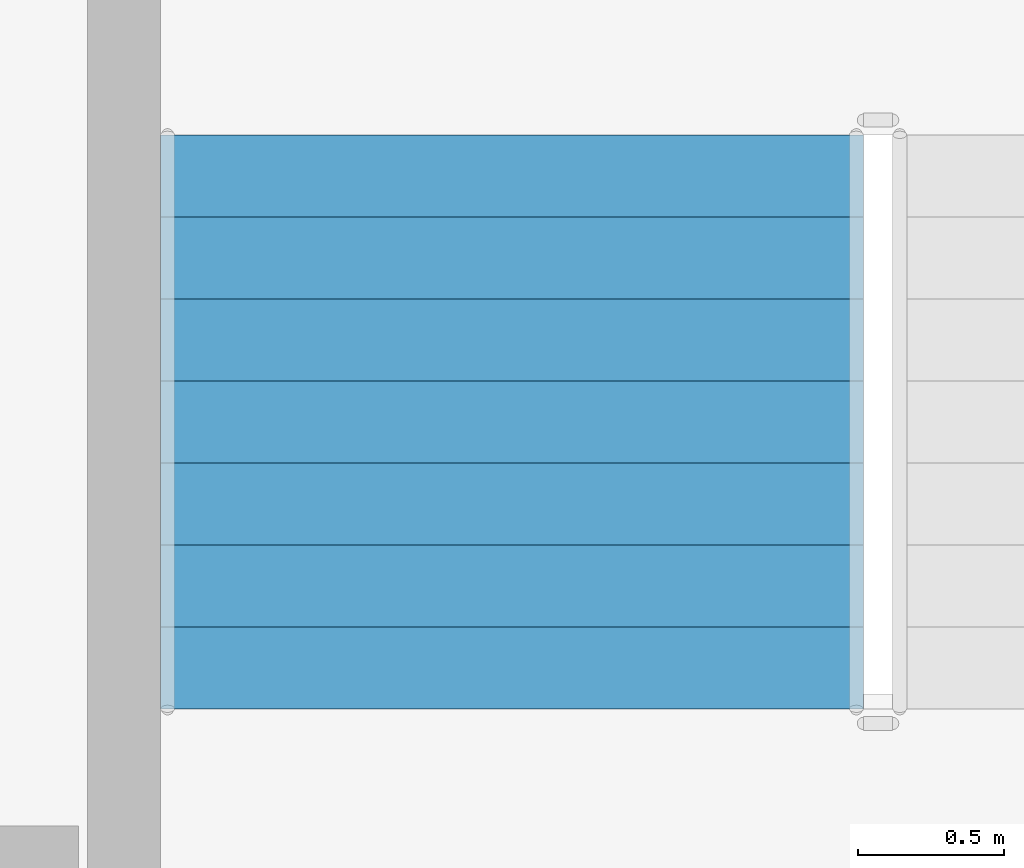
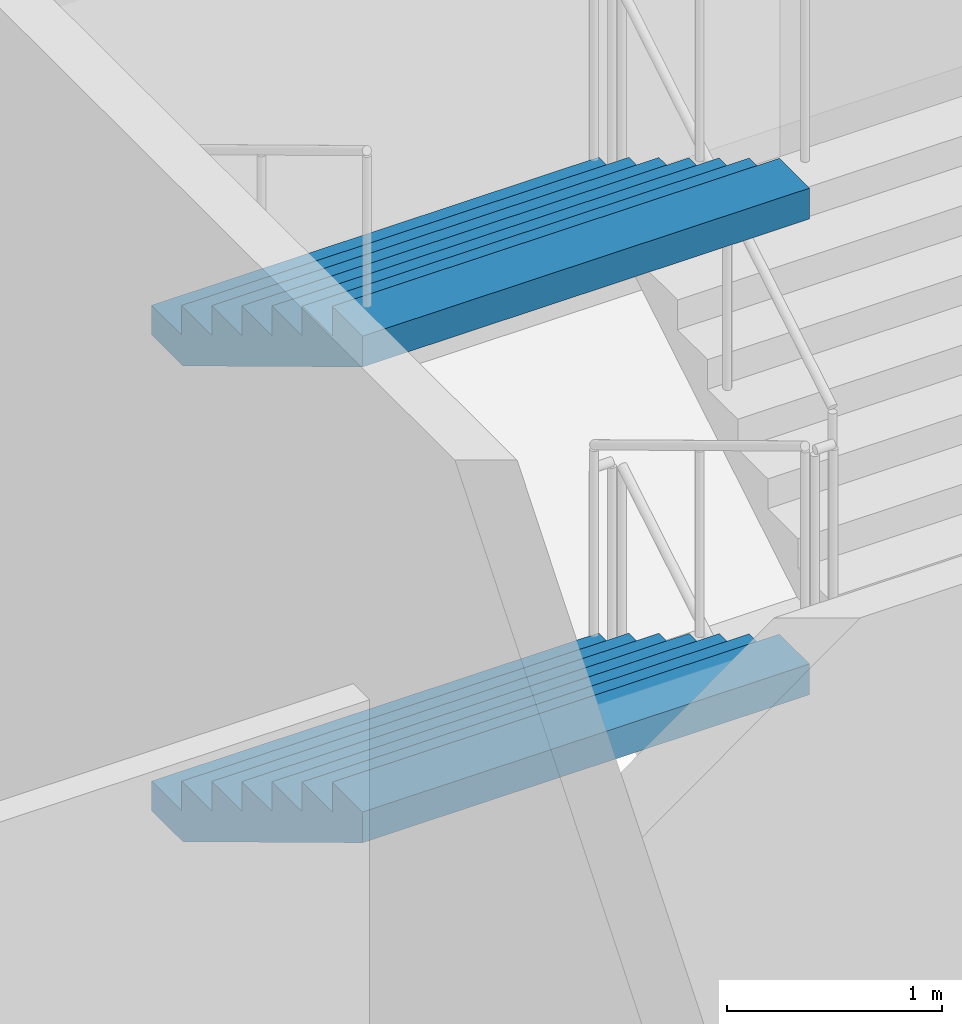
# One storey, part 71 of 101: 2 stair flights, 1 element without a shape of its own.
"""IFC4 building model written with IfcOpenShell, lengths in metres."""

from ifc_helpers import new_model, si_unit, direction, frame, origin, place, context, subcontext, project, spatial, triangles, material, type_object, element, aggregate, save


model = new_model("IFC4")

# Units and contexts
model_context = context("Model", 3, precision=1e-05, world=origin(), true_north=direction((0.0, 1.0)))
body_context = subcontext(model_context, "Body", "Model", "MODEL_VIEW")
ifc_project = project(units=[si_unit("LENGTHUNIT", "METRE"), si_unit("AREAUNIT", "SQUARE_METRE"), si_unit("VOLUMEUNIT", "CUBIC_METRE"), si_unit("PLANEANGLEUNIT", "RADIAN"), si_unit("MASSUNIT", "GRAM", prefix="KILO")], contexts=[model_context])

# Site, building, storey
site_placement = place(None, origin())
site = spatial("IfcSite", under=ifc_project, at=site_placement, CompositionType="ELEMENT")
building_placement = place(site_placement, origin())
building = spatial("IfcBuilding", under=site, at=building_placement, Name="Magnolia Steps Interchange", CompositionType="ELEMENT")
storey_placement = place(building_placement, frame((0.0, 0.0, -5.39990234375)))
storey = spatial("IfcBuildingStorey", under=building, at=storey_placement, Name="B1", CompositionType="ELEMENT", Elevation=-5.39990234375)

# Stair, stair flights
ifc_material_1 = material(Name="Concrete C40", Category="concrete")
stair_type = type_object("IfcStairType", Name="Exit stair 2400", PredefinedType="HALF_TURN_STAIR", material=ifc_material_1)
stair_placement = place(storey_placement, origin())
stair = element("IfcStair", 1, at=stair_placement, inside=storey, type_object=stair_type, Name="B1 Stair 16", PredefinedType="HALF_TURN_STAIR")
ifc_material_2 = material(Name="Concrete C40", Category="concrete")
stair_flight_type = type_object("IfcStairFlightType", Name="Exit stair flight", PredefinedType="STRAIGHT", material=ifc_material_2)
stair_flight_1_placement = place(storey_placement, frame((178.72509765625, 71.8349609375, 1.349853515625), z_axis=(0.0, 0.0, 1.0), x_axis=(0.0, -1.0, 0.0)))
stair_flight_1 = element("IfcStairFlight", 2, at=stair_flight_1_placement, type_object=stair_flight_type, Name="Stair 16 flight 2", NumberOfRisers=8, NumberOfTreads=7, PredefinedType="STRAIGHT", RiserHeight=0.16875, TreadLength=0.28, context=body_context, shape_type="Tessellation", body=[
    triangles([(0.0, -1.199951171875, 0.0), (0.29052734375, -1.199951171875, 0.0), (1.9599609375, -1.199951171875, 1.00634765625), (1.9599609375, -1.199951171875, 1.18115234375), (1.679931640625, -1.199951171875, 1.18115234375), (1.679931640625, -1.199951171875, 1.012451171875), (1.39990234375, -1.199951171875, 1.012451171875), (1.39990234375, -1.199951171875, 0.84375), (1.1201171875, -1.199951171875, 0.84375), (1.1201171875, -1.199951171875, 0.675048828125), (0.840087890625, -1.199951171875, 0.675048828125), (0.840087890625, -1.199951171875, 0.50634765625), (0.56005859375, -1.199951171875, 0.50634765625), (0.56005859375, -1.199951171875, 0.33740234375), (0.280029296875, -1.199951171875, 0.33740234375), (0.280029296875, -1.199951171875, 0.168701171875), (0.0, -1.199951171875, 0.168701171875), (0.0, 1.199951171875, 0.0), (0.29052734375, 1.199951171875, 0.0), (1.9599609375, 1.199951171875, 1.00634765625), (1.9599609375, 1.199951171875, 1.18115234375), (1.679931640625, 1.199951171875, 1.18115234375), (1.679931640625, 1.199951171875, 1.012451171875), (1.39990234375, 1.199951171875, 1.012451171875), (1.39990234375, 1.199951171875, 0.84375), (1.1201171875, 1.199951171875, 0.84375), (1.1201171875, 1.199951171875, 0.675048828125), (0.840087890625, 1.199951171875, 0.675048828125), (0.840087890625, 1.199951171875, 0.50634765625), (0.56005859375, 1.199951171875, 0.50634765625), (0.56005859375, 1.199951171875, 0.33740234375), (0.280029296875, 1.199951171875, 0.33740234375), (0.280029296875, 1.199951171875, 0.168701171875), (0.0, 1.199951171875, 0.168701171875), (0.0, 0.0, 0.0), (0.0, 0.0, 0.04217529296875), (0.0, 0.0, 0.0843505859375), (0.0, 0.0, 0.12652587890625), (0.0, 0.0, 0.168701171875), (0.0, -0.05, 0.0), (0.0, -0.05, 0.168701171875), (0.0, 0.05, 0.0), (0.0, 0.05, 0.168701171875), (0.046671549479166664, 0.0, 0.168701171875), (0.09334309895833333, 0.0, 0.168701171875), (0.1400146484375, 0.0, 0.168701171875), (0.18668619791666666, 0.0, 0.168701171875), (0.23335774739583334, 0.0, 0.168701171875), (0.280029296875, 0.0, 0.168701171875), (0.280029296875, -0.05, 0.168701171875), (0.280029296875, 0.05, 0.168701171875), (0.280029296875, 0.0, 0.21087646484375), (0.280029296875, 0.0, 0.2530517578125), (0.280029296875, 0.0, 0.29522705078125), (0.280029296875, 0.0, 0.33740234375), (0.280029296875, -0.05, 0.33740234375), (0.280029296875, 0.05, 0.33740234375), (0.3267008463541667, 0.0, 0.33740234375), (0.3733723958333333, 0.0, 0.33740234375), (0.4200439453125, 0.0, 0.33740234375), (0.46671549479166663, 0.0, 0.33740234375), (0.5133870442708334, 0.0, 0.33740234375), (0.56005859375, 0.0, 0.33740234375), (0.56005859375, -0.05, 0.33740234375), (0.56005859375, 0.05, 0.33740234375), (0.56005859375, 0.0, 0.379638671875), (0.56005859375, 0.0, 0.421875), (0.56005859375, 0.0, 0.464111328125), (0.56005859375, 0.0, 0.50634765625), (0.56005859375, -0.05, 0.50634765625), (0.56005859375, 0.05, 0.50634765625), (0.6067301432291666, 0.0, 0.50634765625), (0.6534016927083334, 0.0, 0.50634765625), (0.7000732421875, 0.0, 0.50634765625), (0.7467447916666666, 0.0, 0.50634765625), (0.7934163411458334, 0.0, 0.50634765625), (0.840087890625, 0.0, 0.50634765625), (0.840087890625, -0.05, 0.50634765625), (0.840087890625, 0.05, 0.50634765625), (0.840087890625, 0.0, 0.54852294921875), (0.840087890625, 0.0, 0.5906982421875), (0.840087890625, 0.0, 0.63287353515625), (0.840087890625, 0.0, 0.675048828125), (0.840087890625, -0.05, 0.675048828125), (0.840087890625, 0.05, 0.675048828125), (0.8867594401041666, 0.0, 0.675048828125), (0.9334309895833334, 0.0, 0.675048828125), (0.9801025390625, 0.0, 0.675048828125), (1.0267740885416667, 0.0, 0.675048828125), (1.0734456380208333, 0.0, 0.675048828125), (1.1201171875, 0.0, 0.675048828125), (1.1201171875, -0.05, 0.675048828125), (1.1201171875, 0.05, 0.675048828125), (1.1201171875, 0.0, 0.71722412109375), (1.1201171875, 0.0, 0.7593994140625), (1.1201171875, 0.0, 0.80157470703125), (1.1201171875, 0.0, 0.84375), (1.1201171875, -0.05, 0.84375), (1.1201171875, 0.05, 0.84375), (1.1900634765625, 0.0, 0.84375), (1.260009765625, 0.0, 0.84375), (1.3299560546875, 0.0, 0.84375), (1.39990234375, 0.0, 0.84375), (1.39990234375, -0.05, 0.84375), (1.39990234375, 0.05, 0.84375), (1.39990234375, 0.0, 0.88592529296875), (1.39990234375, 0.0, 0.9281005859375), (1.39990234375, 0.0, 0.97027587890625), (1.39990234375, 0.0, 1.012451171875), (1.39990234375, -0.05, 1.012451171875), (1.39990234375, 0.05, 1.012451171875), (1.4465738932291667, 0.0, 1.012451171875), (1.4932454427083333, 0.0, 1.012451171875), (1.5399169921875, 0.0, 1.012451171875), (1.5865885416666667, 0.0, 1.012451171875), (1.6332600911458333, 0.0, 1.012451171875), (1.679931640625, 0.0, 1.012451171875), (1.679931640625, -0.05, 1.012451171875), (1.679931640625, 0.05, 1.012451171875), (1.679931640625, 0.0, 1.05462646484375), (1.679931640625, 0.0, 1.0968017578125), (1.679931640625, 0.0, 1.13897705078125), (1.679931640625, 0.0, 1.18115234375), (1.679931640625, -0.05, 1.18115234375), (1.679931640625, 0.05, 1.18115234375), (1.7266031901041667, 0.0, 1.18115234375), (1.7732747395833333, 0.0, 1.18115234375), (1.8199462890625, 0.0, 1.18115234375), (1.8666178385416667, 0.0, 1.18115234375), (1.9132893880208333, 0.0, 1.18115234375), (1.9599609375, 0.0, 1.18115234375), (1.9599609375, -0.05, 1.18115234375), (1.9599609375, 0.05, 1.18115234375), (1.9599609375, 0.0, 1.137451171875), (1.9599609375, 0.0, 1.09375), (1.9599609375, 0.0, 1.050048828125), (1.9599609375, 0.0, 1.00634765625), (1.9599609375, -0.05, 1.00634765625), (1.9599609375, 0.05, 1.00634765625), (1.9003383091517858, 0.0, 0.9704066685267857), (1.8407156808035714, 0.0, 0.9344656808035714), (1.7810930524553572, 0.0, 0.8985246930803571), (1.7214704241071428, 0.0, 0.8625837053571428), (1.6618477957589286, 0.0, 0.8266427176339286), (1.6022251674107144, 0.0, 0.7907017299107143), (1.5426025390625, 0.0, 0.7547607421875), (1.4829799107142856, 0.0, 0.7188197544642857), (1.4233572823660714, 0.0, 0.6828787667410714), (1.3637346540178572, 0.0, 0.6469377790178572), (1.3041120256696428, 0.0, 0.6109967912946428), (1.2444893973214286, 0.0, 0.5750558035714286), (1.1848667689732144, 0.0, 0.5391148158482143), (1.125244140625, 0.0, 0.503173828125), (1.0656215122767856, 0.0, 0.4672328404017857), (1.0059988839285714, 0.0, 0.4312918526785714), (0.9463762555803572, 0.0, 0.3953508649553571), (0.8867536272321428, 0.0, 0.3594098772321429), (0.8271309988839286, 0.0, 0.3234688895089286), (0.7675083705357142, 0.0, 0.2875279017857143), (0.7078857421875, 0.0, 0.2515869140625), (0.6482631138392858, 0.0, 0.2156459263392857), (0.5886404854910714, 0.0, 0.1797049386160714), (0.5290178571428572, 0.0, 0.1437639508928571), (0.4693952287946428, 0.0, 0.1078229631696429), (0.4097726004464286, 0.0, 0.0718819754464286), (0.3501499720982142, 0.0, 0.0359409877232143), (0.29052734375, 0.0, 0.0), (0.29052734375, -0.05, 0.0), (0.29052734375, 0.05, 0.0), (0.24210611979166666, 0.0, 0.0), (0.19368489583333331, 0.0, 0.0), (0.145263671875, 0.0, 0.0), (0.09684244791666666, 0.0, 0.0), (0.04842122395833334, 0.0, 0.0)], [[1, 2, 3], [3, 4, 5], [3, 5, 6], [3, 6, 7], [3, 7, 8], [8, 9, 10], [3, 8, 10], [10, 11, 12], [3, 10, 12], [12, 13, 14], [3, 12, 14], [14, 15, 16], [3, 14, 16], [1, 3, 16], [16, 17, 1], [18, 20, 19], [20, 22, 21], [20, 23, 22], [20, 24, 23], [20, 25, 24], [25, 27, 26], [20, 27, 25], [27, 29, 28], [20, 29, 27], [29, 31, 30], [20, 31, 29], [31, 33, 32], [20, 33, 31], [18, 33, 20], [33, 18, 34], [1, 17, 41], [1, 41, 40], [40, 36, 35], [40, 37, 36], [40, 41, 37], [41, 38, 37], [41, 39, 38], [18, 43, 34], [18, 42, 43], [42, 35, 36], [42, 36, 37], [42, 37, 43], [43, 37, 38], [43, 38, 39], [17, 16, 50], [17, 50, 41], [41, 44, 39], [41, 45, 44], [41, 46, 45], [41, 50, 46], [50, 47, 46], [50, 48, 47], [50, 49, 48], [34, 51, 33], [34, 43, 51], [43, 39, 44], [43, 44, 45], [43, 45, 46], [43, 46, 51], [51, 46, 47], [51, 47, 48], [51, 48, 49], [16, 15, 56], [16, 56, 50], [50, 52, 49], [50, 53, 52], [50, 56, 53], [56, 54, 53], [56, 55, 54], [33, 57, 32], [33, 51, 57], [51, 49, 52], [51, 52, 53], [51, 53, 57], [57, 53, 54], [57, 54, 55], [15, 14, 64], [15, 64, 56], [56, 58, 55], [56, 59, 58], [56, 60, 59], [56, 64, 60], [64, 61, 60], [64, 62, 61], [64, 63, 62], [32, 65, 31], [32, 57, 65], [57, 55, 58], [57, 58, 59], [57, 59, 60], [57, 60, 65], [65, 60, 61], [65, 61, 62], [65, 62, 63], [14, 13, 70], [14, 70, 64], [64, 66, 63], [64, 67, 66], [64, 70, 67], [70, 68, 67], [70, 69, 68], [31, 71, 30], [31, 65, 71], [65, 63, 66], [65, 66, 67], [65, 67, 71], [71, 67, 68], [71, 68, 69], [13, 12, 78], [13, 78, 70], [70, 72, 69], [70, 73, 72], [70, 74, 73], [70, 78, 74], [78, 75, 74], [78, 76, 75], [78, 77, 76], [30, 79, 29], [30, 71, 79], [71, 69, 72], [71, 72, 73], [71, 73, 74], [71, 74, 79], [79, 74, 75], [79, 75, 76], [79, 76, 77], [12, 11, 84], [12, 84, 78], [78, 80, 77], [78, 81, 80], [78, 84, 81], [84, 82, 81], [84, 83, 82], [29, 85, 28], [29, 79, 85], [79, 77, 80], [79, 80, 81], [79, 81, 85], [85, 81, 82], [85, 82, 83], [11, 10, 92], [11, 92, 84], [84, 86, 83], [84, 87, 86], [84, 88, 87], [84, 92, 88], [92, 89, 88], [92, 90, 89], [92, 91, 90], [28, 93, 27], [28, 85, 93], [85, 83, 86], [85, 86, 87], [85, 87, 88], [85, 88, 93], [93, 88, 89], [93, 89, 90], [93, 90, 91], [10, 9, 98], [10, 98, 92], [92, 94, 91], [92, 95, 94], [92, 98, 95], [98, 96, 95], [98, 97, 96], [27, 99, 26], [27, 93, 99], [93, 91, 94], [93, 94, 95], [93, 95, 99], [99, 95, 96], [99, 96, 97], [9, 8, 104], [9, 104, 98], [98, 100, 97], [98, 101, 100], [98, 104, 101], [104, 102, 101], [104, 103, 102], [26, 105, 25], [26, 99, 105], [99, 97, 100], [99, 100, 101], [99, 101, 105], [105, 101, 102], [105, 102, 103], [8, 7, 110], [8, 110, 104], [104, 106, 103], [104, 107, 106], [104, 110, 107], [110, 108, 107], [110, 109, 108], [25, 111, 24], [25, 105, 111], [105, 103, 106], [105, 106, 107], [105, 107, 111], [111, 107, 108], [111, 108, 109], [7, 6, 118], [7, 118, 110], [110, 112, 109], [110, 113, 112], [110, 114, 113], [110, 118, 114], [118, 115, 114], [118, 116, 115], [118, 117, 116], [24, 119, 23], [24, 111, 119], [111, 109, 112], [111, 112, 113], [111, 113, 114], [111, 114, 119], [119, 114, 115], [119, 115, 116], [119, 116, 117], [6, 5, 124], [6, 124, 118], [118, 120, 117], [118, 121, 120], [118, 124, 121], [124, 122, 121], [124, 123, 122], [23, 125, 22], [23, 119, 125], [119, 117, 120], [119, 120, 121], [119, 121, 125], [125, 121, 122], [125, 122, 123], [5, 4, 132], [5, 132, 124], [124, 126, 123], [124, 127, 126], [124, 128, 127], [124, 132, 128], [132, 129, 128], [132, 130, 129], [132, 131, 130], [22, 133, 21], [22, 125, 133], [125, 123, 126], [125, 126, 127], [125, 127, 128], [125, 128, 133], [133, 128, 129], [133, 129, 130], [133, 130, 131], [4, 3, 138], [4, 138, 132], [132, 134, 131], [132, 135, 134], [132, 138, 135], [138, 136, 135], [138, 137, 136], [21, 139, 20], [21, 133, 139], [133, 131, 134], [133, 134, 135], [133, 135, 139], [139, 135, 136], [139, 136, 137], [3, 2, 168], [3, 168, 138], [138, 140, 137], [138, 141, 140], [138, 142, 141], [138, 143, 142], [138, 144, 143], [138, 145, 144], [138, 146, 145], [138, 147, 146], [138, 148, 147], [138, 149, 148], [138, 150, 149], [138, 151, 150], [138, 152, 151], [138, 153, 152], [138, 168, 153], [168, 154, 153], [168, 155, 154], [168, 156, 155], [168, 157, 156], [168, 158, 157], [168, 159, 158], [168, 160, 159], [168, 161, 160], [168, 162, 161], [168, 163, 162], [168, 164, 163], [168, 165, 164], [168, 166, 165], [168, 167, 166], [20, 169, 19], [20, 139, 169], [139, 137, 140], [139, 140, 141], [139, 141, 142], [139, 142, 143], [139, 143, 144], [139, 144, 145], [139, 145, 146], [139, 146, 147], [139, 147, 148], [139, 148, 149], [139, 149, 150], [139, 150, 151], [139, 151, 152], [139, 152, 153], [139, 153, 169], [169, 153, 154], [169, 154, 155], [169, 155, 156], [169, 156, 157], [169, 157, 158], [169, 158, 159], [169, 159, 160], [169, 160, 161], [169, 161, 162], [169, 162, 163], [169, 163, 164], [169, 164, 165], [169, 165, 166], [169, 166, 167], [2, 1, 40], [2, 40, 168], [168, 170, 167], [168, 171, 170], [168, 172, 171], [168, 40, 172], [40, 173, 172], [40, 174, 173], [40, 35, 174], [19, 42, 18], [19, 169, 42], [169, 167, 170], [169, 170, 171], [169, 171, 172], [169, 172, 42], [42, 172, 173], [42, 173, 174], [42, 174, 35]], closed=True),
])
stair_flight_2_placement = place(storey_placement, frame((178.72509765625, 71.8349609375, 4.0498046875), z_axis=(0.0, 0.0, 1.0), x_axis=(0.0, -1.0, 0.0)))
stair_flight_2 = element("IfcStairFlight", 3, at=stair_flight_2_placement, type_object=stair_flight_type, Name="Stair 16 flight 4", NumberOfRisers=8, NumberOfTreads=7, PredefinedType="STRAIGHT", RiserHeight=0.16875, TreadLength=0.28, context=body_context, shape_type="Tessellation", body=[
    triangles([(0.0, -1.199951171875, 0.0), (0.29052734375, -1.199951171875, 0.0), (1.9599609375, -1.199951171875, 1.00634765625), (1.9599609375, -1.199951171875, 1.18115234375), (1.679931640625, -1.199951171875, 1.18115234375), (1.679931640625, -1.199951171875, 1.012451171875), (1.39990234375, -1.199951171875, 1.012451171875), (1.39990234375, -1.199951171875, 0.84375), (1.1201171875, -1.199951171875, 0.84375), (1.1201171875, -1.199951171875, 0.675048828125), (0.840087890625, -1.199951171875, 0.675048828125), (0.840087890625, -1.199951171875, 0.50634765625), (0.56005859375, -1.199951171875, 0.50634765625), (0.56005859375, -1.199951171875, 0.33740234375), (0.280029296875, -1.199951171875, 0.33740234375), (0.280029296875, -1.199951171875, 0.168701171875), (0.0, -1.199951171875, 0.168701171875), (0.0, 1.199951171875, 0.0), (0.29052734375, 1.199951171875, 0.0), (1.9599609375, 1.199951171875, 1.00634765625), (1.9599609375, 1.199951171875, 1.18115234375), (1.679931640625, 1.199951171875, 1.18115234375), (1.679931640625, 1.199951171875, 1.012451171875), (1.39990234375, 1.199951171875, 1.012451171875), (1.39990234375, 1.199951171875, 0.84375), (1.1201171875, 1.199951171875, 0.84375), (1.1201171875, 1.199951171875, 0.675048828125), (0.840087890625, 1.199951171875, 0.675048828125), (0.840087890625, 1.199951171875, 0.50634765625), (0.56005859375, 1.199951171875, 0.50634765625), (0.56005859375, 1.199951171875, 0.33740234375), (0.280029296875, 1.199951171875, 0.33740234375), (0.280029296875, 1.199951171875, 0.168701171875), (0.0, 1.199951171875, 0.168701171875), (0.0, 0.0, 0.0), (0.0, 0.0, 0.04217529296875), (0.0, 0.0, 0.0843505859375), (0.0, 0.0, 0.12652587890625), (0.0, 0.0, 0.168701171875), (0.0, -0.05, 0.0), (0.0, -0.05, 0.168701171875), (0.0, 0.05, 0.0), (0.0, 0.05, 0.168701171875), (0.046671549479166664, 0.0, 0.168701171875), (0.09334309895833333, 0.0, 0.168701171875), (0.1400146484375, 0.0, 0.168701171875), (0.18668619791666666, 0.0, 0.168701171875), (0.23335774739583334, 0.0, 0.168701171875), (0.280029296875, 0.0, 0.168701171875), (0.280029296875, -0.05, 0.168701171875), (0.280029296875, 0.05, 0.168701171875), (0.280029296875, 0.0, 0.21087646484375), (0.280029296875, 0.0, 0.2530517578125), (0.280029296875, 0.0, 0.29522705078125), (0.280029296875, 0.0, 0.33740234375), (0.280029296875, -0.05, 0.33740234375), (0.280029296875, 0.05, 0.33740234375), (0.3267008463541667, 0.0, 0.33740234375), (0.3733723958333333, 0.0, 0.33740234375), (0.4200439453125, 0.0, 0.33740234375), (0.46671549479166663, 0.0, 0.33740234375), (0.5133870442708334, 0.0, 0.33740234375), (0.56005859375, 0.0, 0.33740234375), (0.56005859375, -0.05, 0.33740234375), (0.56005859375, 0.05, 0.33740234375), (0.56005859375, 0.0, 0.379638671875), (0.56005859375, 0.0, 0.421875), (0.56005859375, 0.0, 0.464111328125), (0.56005859375, 0.0, 0.50634765625), (0.56005859375, -0.05, 0.50634765625), (0.56005859375, 0.05, 0.50634765625), (0.6067301432291666, 0.0, 0.50634765625), (0.6534016927083334, 0.0, 0.50634765625), (0.7000732421875, 0.0, 0.50634765625), (0.7467447916666666, 0.0, 0.50634765625), (0.7934163411458334, 0.0, 0.50634765625), (0.840087890625, 0.0, 0.50634765625), (0.840087890625, -0.05, 0.50634765625), (0.840087890625, 0.05, 0.50634765625), (0.840087890625, 0.0, 0.54852294921875), (0.840087890625, 0.0, 0.5906982421875), (0.840087890625, 0.0, 0.63287353515625), (0.840087890625, 0.0, 0.675048828125), (0.840087890625, -0.05, 0.675048828125), (0.840087890625, 0.05, 0.675048828125), (0.8867594401041666, 0.0, 0.675048828125), (0.9334309895833334, 0.0, 0.675048828125), (0.9801025390625, 0.0, 0.675048828125), (1.0267740885416667, 0.0, 0.675048828125), (1.0734456380208333, 0.0, 0.675048828125), (1.1201171875, 0.0, 0.675048828125), (1.1201171875, -0.05, 0.675048828125), (1.1201171875, 0.05, 0.675048828125), (1.1201171875, 0.0, 0.71722412109375), (1.1201171875, 0.0, 0.7593994140625), (1.1201171875, 0.0, 0.80157470703125), (1.1201171875, 0.0, 0.84375), (1.1201171875, -0.05, 0.84375), (1.1201171875, 0.05, 0.84375), (1.1900634765625, 0.0, 0.84375), (1.260009765625, 0.0, 0.84375), (1.3299560546875, 0.0, 0.84375), (1.39990234375, 0.0, 0.84375), (1.39990234375, -0.05, 0.84375), (1.39990234375, 0.05, 0.84375), (1.39990234375, 0.0, 0.88592529296875), (1.39990234375, 0.0, 0.9281005859375), (1.39990234375, 0.0, 0.97027587890625), (1.39990234375, 0.0, 1.012451171875), (1.39990234375, -0.05, 1.012451171875), (1.39990234375, 0.05, 1.012451171875), (1.4465738932291667, 0.0, 1.012451171875), (1.4932454427083333, 0.0, 1.012451171875), (1.5399169921875, 0.0, 1.012451171875), (1.5865885416666667, 0.0, 1.012451171875), (1.6332600911458333, 0.0, 1.012451171875), (1.679931640625, 0.0, 1.012451171875), (1.679931640625, -0.05, 1.012451171875), (1.679931640625, 0.05, 1.012451171875), (1.679931640625, 0.0, 1.05462646484375), (1.679931640625, 0.0, 1.0968017578125), (1.679931640625, 0.0, 1.13897705078125), (1.679931640625, 0.0, 1.18115234375), (1.679931640625, -0.05, 1.18115234375), (1.679931640625, 0.05, 1.18115234375), (1.7266031901041667, 0.0, 1.18115234375), (1.7732747395833333, 0.0, 1.18115234375), (1.8199462890625, 0.0, 1.18115234375), (1.8666178385416667, 0.0, 1.18115234375), (1.9132893880208333, 0.0, 1.18115234375), (1.9599609375, 0.0, 1.18115234375), (1.9599609375, -0.05, 1.18115234375), (1.9599609375, 0.05, 1.18115234375), (1.9599609375, 0.0, 1.137451171875), (1.9599609375, 0.0, 1.09375), (1.9599609375, 0.0, 1.050048828125), (1.9599609375, 0.0, 1.00634765625), (1.9599609375, -0.05, 1.00634765625), (1.9599609375, 0.05, 1.00634765625), (1.9003383091517858, 0.0, 0.9704066685267857), (1.8407156808035714, 0.0, 0.9344656808035714), (1.7810930524553572, 0.0, 0.8985246930803571), (1.7214704241071428, 0.0, 0.8625837053571428), (1.6618477957589286, 0.0, 0.8266427176339286), (1.6022251674107144, 0.0, 0.7907017299107143), (1.5426025390625, 0.0, 0.7547607421875), (1.4829799107142856, 0.0, 0.7188197544642857), (1.4233572823660714, 0.0, 0.6828787667410714), (1.3637346540178572, 0.0, 0.6469377790178572), (1.3041120256696428, 0.0, 0.6109967912946428), (1.2444893973214286, 0.0, 0.5750558035714286), (1.1848667689732144, 0.0, 0.5391148158482143), (1.125244140625, 0.0, 0.503173828125), (1.0656215122767856, 0.0, 0.4672328404017857), (1.0059988839285714, 0.0, 0.4312918526785714), (0.9463762555803572, 0.0, 0.3953508649553571), (0.8867536272321428, 0.0, 0.3594098772321429), (0.8271309988839286, 0.0, 0.3234688895089286), (0.7675083705357142, 0.0, 0.2875279017857143), (0.7078857421875, 0.0, 0.2515869140625), (0.6482631138392858, 0.0, 0.2156459263392857), (0.5886404854910714, 0.0, 0.1797049386160714), (0.5290178571428572, 0.0, 0.1437639508928571), (0.4693952287946428, 0.0, 0.1078229631696429), (0.4097726004464286, 0.0, 0.0718819754464286), (0.3501499720982142, 0.0, 0.0359409877232143), (0.29052734375, 0.0, 0.0), (0.29052734375, -0.05, 0.0), (0.29052734375, 0.05, 0.0), (0.24210611979166666, 0.0, 0.0), (0.19368489583333331, 0.0, 0.0), (0.145263671875, 0.0, 0.0), (0.09684244791666666, 0.0, 0.0), (0.04842122395833334, 0.0, 0.0)], [[1, 2, 3], [3, 4, 5], [3, 5, 6], [3, 6, 7], [3, 7, 8], [8, 9, 10], [3, 8, 10], [10, 11, 12], [3, 10, 12], [12, 13, 14], [3, 12, 14], [14, 15, 16], [3, 14, 16], [1, 3, 16], [16, 17, 1], [18, 20, 19], [20, 22, 21], [20, 23, 22], [20, 24, 23], [20, 25, 24], [25, 27, 26], [20, 27, 25], [27, 29, 28], [20, 29, 27], [29, 31, 30], [20, 31, 29], [31, 33, 32], [20, 33, 31], [18, 33, 20], [33, 18, 34], [1, 17, 41], [1, 41, 40], [40, 36, 35], [40, 37, 36], [40, 41, 37], [41, 38, 37], [41, 39, 38], [18, 43, 34], [18, 42, 43], [42, 35, 36], [42, 36, 37], [42, 37, 43], [43, 37, 38], [43, 38, 39], [17, 16, 50], [17, 50, 41], [41, 44, 39], [41, 45, 44], [41, 46, 45], [41, 50, 46], [50, 47, 46], [50, 48, 47], [50, 49, 48], [34, 51, 33], [34, 43, 51], [43, 39, 44], [43, 44, 45], [43, 45, 46], [43, 46, 51], [51, 46, 47], [51, 47, 48], [51, 48, 49], [16, 15, 56], [16, 56, 50], [50, 52, 49], [50, 53, 52], [50, 56, 53], [56, 54, 53], [56, 55, 54], [33, 57, 32], [33, 51, 57], [51, 49, 52], [51, 52, 53], [51, 53, 57], [57, 53, 54], [57, 54, 55], [15, 14, 64], [15, 64, 56], [56, 58, 55], [56, 59, 58], [56, 60, 59], [56, 64, 60], [64, 61, 60], [64, 62, 61], [64, 63, 62], [32, 65, 31], [32, 57, 65], [57, 55, 58], [57, 58, 59], [57, 59, 60], [57, 60, 65], [65, 60, 61], [65, 61, 62], [65, 62, 63], [14, 13, 70], [14, 70, 64], [64, 66, 63], [64, 67, 66], [64, 70, 67], [70, 68, 67], [70, 69, 68], [31, 71, 30], [31, 65, 71], [65, 63, 66], [65, 66, 67], [65, 67, 71], [71, 67, 68], [71, 68, 69], [13, 12, 78], [13, 78, 70], [70, 72, 69], [70, 73, 72], [70, 74, 73], [70, 78, 74], [78, 75, 74], [78, 76, 75], [78, 77, 76], [30, 79, 29], [30, 71, 79], [71, 69, 72], [71, 72, 73], [71, 73, 74], [71, 74, 79], [79, 74, 75], [79, 75, 76], [79, 76, 77], [12, 11, 84], [12, 84, 78], [78, 80, 77], [78, 81, 80], [78, 84, 81], [84, 82, 81], [84, 83, 82], [29, 85, 28], [29, 79, 85], [79, 77, 80], [79, 80, 81], [79, 81, 85], [85, 81, 82], [85, 82, 83], [11, 10, 92], [11, 92, 84], [84, 86, 83], [84, 87, 86], [84, 88, 87], [84, 92, 88], [92, 89, 88], [92, 90, 89], [92, 91, 90], [28, 93, 27], [28, 85, 93], [85, 83, 86], [85, 86, 87], [85, 87, 88], [85, 88, 93], [93, 88, 89], [93, 89, 90], [93, 90, 91], [10, 9, 98], [10, 98, 92], [92, 94, 91], [92, 95, 94], [92, 98, 95], [98, 96, 95], [98, 97, 96], [27, 99, 26], [27, 93, 99], [93, 91, 94], [93, 94, 95], [93, 95, 99], [99, 95, 96], [99, 96, 97], [9, 8, 104], [9, 104, 98], [98, 100, 97], [98, 101, 100], [98, 104, 101], [104, 102, 101], [104, 103, 102], [26, 105, 25], [26, 99, 105], [99, 97, 100], [99, 100, 101], [99, 101, 105], [105, 101, 102], [105, 102, 103], [8, 7, 110], [8, 110, 104], [104, 106, 103], [104, 107, 106], [104, 110, 107], [110, 108, 107], [110, 109, 108], [25, 111, 24], [25, 105, 111], [105, 103, 106], [105, 106, 107], [105, 107, 111], [111, 107, 108], [111, 108, 109], [7, 6, 118], [7, 118, 110], [110, 112, 109], [110, 113, 112], [110, 114, 113], [110, 118, 114], [118, 115, 114], [118, 116, 115], [118, 117, 116], [24, 119, 23], [24, 111, 119], [111, 109, 112], [111, 112, 113], [111, 113, 114], [111, 114, 119], [119, 114, 115], [119, 115, 116], [119, 116, 117], [6, 5, 124], [6, 124, 118], [118, 120, 117], [118, 121, 120], [118, 124, 121], [124, 122, 121], [124, 123, 122], [23, 125, 22], [23, 119, 125], [119, 117, 120], [119, 120, 121], [119, 121, 125], [125, 121, 122], [125, 122, 123], [5, 4, 132], [5, 132, 124], [124, 126, 123], [124, 127, 126], [124, 128, 127], [124, 132, 128], [132, 129, 128], [132, 130, 129], [132, 131, 130], [22, 133, 21], [22, 125, 133], [125, 123, 126], [125, 126, 127], [125, 127, 128], [125, 128, 133], [133, 128, 129], [133, 129, 130], [133, 130, 131], [4, 3, 138], [4, 138, 132], [132, 134, 131], [132, 135, 134], [132, 138, 135], [138, 136, 135], [138, 137, 136], [21, 139, 20], [21, 133, 139], [133, 131, 134], [133, 134, 135], [133, 135, 139], [139, 135, 136], [139, 136, 137], [3, 2, 168], [3, 168, 138], [138, 140, 137], [138, 141, 140], [138, 142, 141], [138, 143, 142], [138, 144, 143], [138, 145, 144], [138, 146, 145], [138, 147, 146], [138, 148, 147], [138, 149, 148], [138, 150, 149], [138, 151, 150], [138, 152, 151], [138, 153, 152], [138, 168, 153], [168, 154, 153], [168, 155, 154], [168, 156, 155], [168, 157, 156], [168, 158, 157], [168, 159, 158], [168, 160, 159], [168, 161, 160], [168, 162, 161], [168, 163, 162], [168, 164, 163], [168, 165, 164], [168, 166, 165], [168, 167, 166], [20, 169, 19], [20, 139, 169], [139, 137, 140], [139, 140, 141], [139, 141, 142], [139, 142, 143], [139, 143, 144], [139, 144, 145], [139, 145, 146], [139, 146, 147], [139, 147, 148], [139, 148, 149], [139, 149, 150], [139, 150, 151], [139, 151, 152], [139, 152, 153], [139, 153, 169], [169, 153, 154], [169, 154, 155], [169, 155, 156], [169, 156, 157], [169, 157, 158], [169, 158, 159], [169, 159, 160], [169, 160, 161], [169, 161, 162], [169, 162, 163], [169, 163, 164], [169, 164, 165], [169, 165, 166], [169, 166, 167], [2, 1, 40], [2, 40, 168], [168, 170, 167], [168, 171, 170], [168, 172, 171], [168, 40, 172], [40, 173, 172], [40, 174, 173], [40, 35, 174], [19, 42, 18], [19, 169, 42], [169, 167, 170], [169, 170, 171], [169, 171, 172], [169, 172, 42], [42, 172, 173], [42, 173, 174], [42, 174, 35]], closed=True),
])
aggregate(stair, [stair_flight_1, stair_flight_2])

save(model, "model.ifc")
